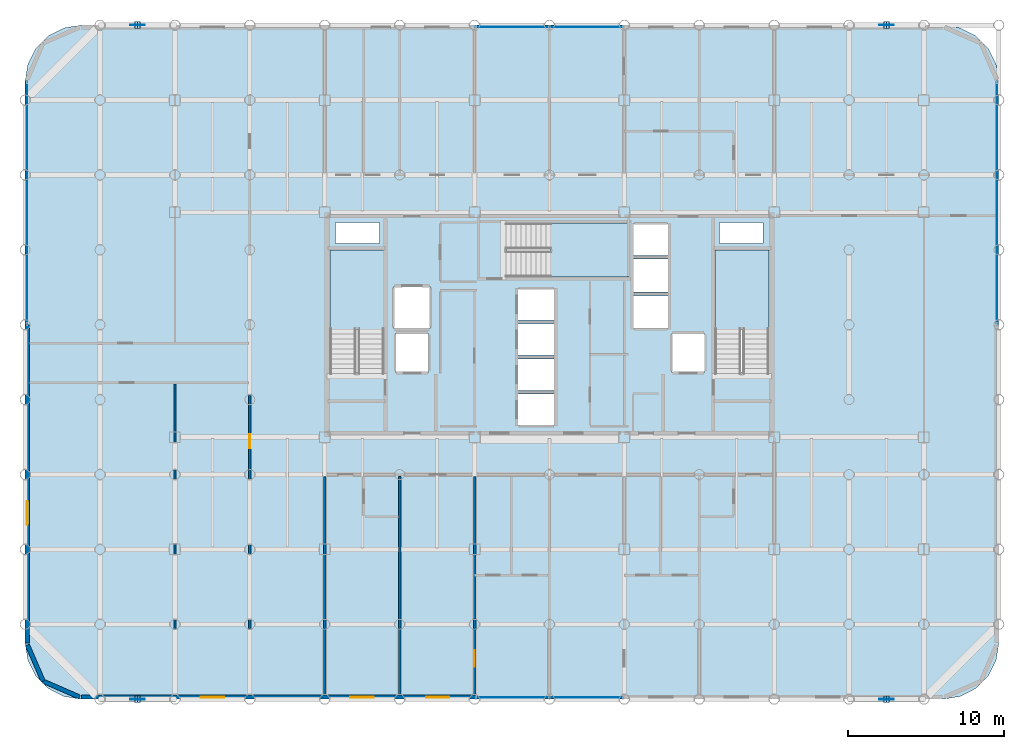
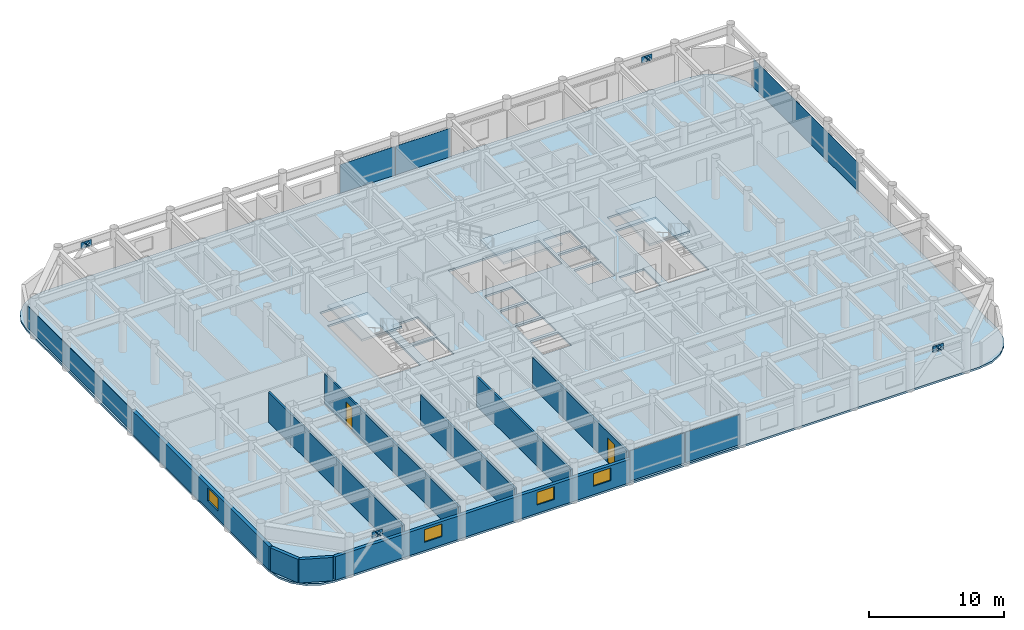
# One storey, part 15 of 20: 18 plates, 9 walls, 4 slabs, 4 windows, 2 doors, 6 openings, 7 elements without a shape of their own.
"""IFC4 building model written with IfcOpenShell, lengths in metres."""

from ifc_helpers import new_model, si_unit, direction, frame, frame_2d, origin, origin_2d, place, context, subcontext, project, spatial, polyline, rectangle, outline, extrude, material, layer, layer_set, type_object, element, fill, aggregate, save


model = new_model("IFC4")

# Units and contexts
model_context = context("Model", 3, precision=1e-05, world=origin(), true_north=direction((0.0, 1.0)))
body_context = subcontext(model_context, "Body", "Model", "MODEL_VIEW")
ifc_project = project(units=[si_unit("LENGTHUNIT", "METRE"), si_unit("AREAUNIT", "SQUARE_METRE"), si_unit("VOLUMEUNIT", "CUBIC_METRE"), si_unit("PLANEANGLEUNIT", "RADIAN"), si_unit("MASSUNIT", "GRAM", prefix="KILO")], contexts=[model_context])

# Site, building, storey
site_placement = place(None, origin())
site = spatial("IfcSite", under=ifc_project, at=site_placement, CompositionType="ELEMENT")
building_placement = place(site_placement, origin())
building = spatial("IfcBuilding", under=site, at=building_placement, Name="Kallvorn Hotel Tower", CompositionType="ELEMENT")
storey_placement = place(building_placement, frame((0.0, 0.0, 161.800048828125)))
storey = spatial("IfcBuildingStorey", under=building, at=storey_placement, Name="L40", CompositionType="ELEMENT", Elevation=161.800048828125)

# Curtain wall, plates
ifc_material_1 = material(Name="Thermally broken black-anodised aluminium AA 6063-T6", Category="aluminium")
ifc_layer_1 = layer(ifc_material_1, 0.2099609375)
ifc_layer_set_1 = layer_set([ifc_layer_1], Name="CW_SYS_4_HOTEL_MID")
curtain_wall_type = type_object("IfcCurtainWallType", Name="CW_SYS_4_HOTEL_MID", PredefinedType="USERDEFINED", material=ifc_layer_set_1)
curtain_wall_1_placement = place(storey_placement, origin())
curtain_wall_1 = element("IfcCurtainWall", 1, at=curtain_wall_1_placement, inside=storey, type_object=curtain_wall_type, Name="L40 Dark-Glass Curtain Wall CW-L40-SC", ObjectType="UNITISED CURTAIN WALL", PredefinedType="USERDEFINED")
ifc_material_2 = material(Name="Double-glazed low-e solar-control dark glass", Category="glass")
ifc_layer_2 = layer(ifc_material_2, 0.037841796875)
ifc_layer_set_2 = layer_set([ifc_layer_2], Name="CW_SYS_4_HOTEL_MID_PANEL")
plate_type_1 = type_object("IfcPlateType", Name="CW_SYS_4_HOTEL_MID_PANEL", PredefinedType="CURTAIN_PANEL", material=ifc_layer_set_2)
plate_1_placement = place(storey_placement, frame((-2.375, -23.8798828125, 0.06005859375), z_axis=(0.0, 0.0, 1.0), x_axis=(1.0, 0.0, 0.0)))
plate_1 = element("IfcPlate", 2, at=plate_1_placement, type_object=plate_type_1, Name="CW-L40-SC Vision Glass Panel 00", PredefinedType="CURTAIN_PANEL", context=body_context, shape_type="SweptSolid", body=[
    extrude(rectangle(XDim=4.68994140625, YDim=0.037841796875, at=origin_2d()), origin(), (0.0, 0.0, 1.0), 2.75),
])
plate_2_placement = place(storey_placement, frame((2.375, -23.8798828125, 0.06005859375), z_axis=(0.0, 0.0, 1.0), x_axis=(1.0, 0.0, 0.0)))
plate_2 = element("IfcPlate", 3, at=plate_2_placement, type_object=plate_type_1, Name="CW-L40-SC Vision Glass Panel 01", PredefinedType="CURTAIN_PANEL", context=body_context, shape_type="SweptSolid", body=[
    extrude(rectangle(XDim=4.68994140625, YDim=0.037841796875, at=origin_2d()), origin(), (0.0, 0.0, 1.0), 2.75),
])
aggregate(curtain_wall_1, [plate_1, plate_2])

curtain_wall_2_placement = place(storey_placement, origin())
curtain_wall_2 = element("IfcCurtainWall", 4, at=curtain_wall_2_placement, inside=storey, type_object=curtain_wall_type, Name="L40 Dark-Glass Curtain Wall CW-L40-NC", ObjectType="UNITISED CURTAIN WALL", PredefinedType="USERDEFINED")
plate_3_placement = place(storey_placement, frame((-2.375, 19.080078125, 0.059814453125), z_axis=(0.0, 0.0, 1.0), x_axis=(1.0, 0.0, 0.0)))
plate_3 = element("IfcPlate", 5, at=plate_3_placement, type_object=plate_type_1, Name="CW-L40-NC Vision Glass Panel 00", PredefinedType="CURTAIN_PANEL", context=body_context, shape_type="SweptSolid", body=[
    extrude(rectangle(XDim=4.68994140625, YDim=0.037841796875, at=origin_2d()), origin(), (0.0, 0.0, 1.0), 2.60009765625),
])
plate_4_placement = place(storey_placement, frame((2.375, 19.080078125, 0.059814453125), z_axis=(0.0, 0.0, 1.0), x_axis=(1.0, 0.0, 0.0)))
plate_4 = element("IfcPlate", 6, at=plate_4_placement, type_object=plate_type_1, Name="CW-L40-NC Vision Glass Panel 01", PredefinedType="CURTAIN_PANEL", context=body_context, shape_type="SweptSolid", body=[
    extrude(rectangle(XDim=4.68994140625, YDim=0.037841796875, at=origin_2d()), origin(), (0.0, 0.0, 1.0), 2.60009765625),
])
aggregate(curtain_wall_2, [plate_3, plate_4])

# Curtain wall, plate
curtain_wall_3_placement = place(storey_placement, origin())
curtain_wall_3 = element("IfcCurtainWall", 7, at=curtain_wall_3_placement, inside=storey, type_object=curtain_wall_type, Name="L40 Dark-Glass Curtain Wall CW-L40-WN", ObjectType="UNITISED CURTAIN WALL", PredefinedType="USERDEFINED")
plate_5_placement = place(storey_placement, frame((-33.47998046875, 7.81005859375, 0.06005859375), z_axis=(0.0, 0.0, 1.0), x_axis=(0.0, 1.0, 0.0)))
plate_5 = element("IfcPlate", 8, at=plate_5_placement, type_object=plate_type_1, Name="CW-L40-WN Vision Glass Panel 00", PredefinedType="CURTAIN_PANEL", context=body_context, shape_type="SweptSolid", body=[
    extrude(rectangle(XDim=15.52001953125, YDim=0.037841796875, at=origin_2d()), origin(), (0.0, 0.0, 1.0), 2.0),
])
aggregate(curtain_wall_3, [plate_5])

curtain_wall_4_placement = place(storey_placement, origin())
curtain_wall_4 = element("IfcCurtainWall", 9, at=curtain_wall_4_placement, inside=storey, type_object=curtain_wall_type, Name="L40 Dark-Glass Curtain Wall CW-L40-EN", ObjectType="UNITISED CURTAIN WALL", PredefinedType="USERDEFINED")
plate_6_placement = place(storey_placement, frame((28.679931640625, 7.81005859375, 0.059814453125), z_axis=(0.0, 0.0, 1.0), x_axis=(0.0, 1.0, 0.0)))
plate_6 = element("IfcPlate", 10, at=plate_6_placement, type_object=plate_type_1, Name="CW-L40-EN Vision Glass Panel 00", PredefinedType="CURTAIN_PANEL", context=body_context, shape_type="SweptSolid", body=[
    extrude(rectangle(XDim=15.52001953125, YDim=0.037841796875, at=origin_2d()), origin(), (0.0, 0.0, 1.0), 2.60009765625),
])
aggregate(curtain_wall_4, [plate_6])

# Plates
ifc_material_3 = material(Name="Structural steel S355JR", Category="steel")
ifc_layer_3 = layer(ifc_material_3, 0.030029296875)
ifc_layer_set_3 = layer_set([ifc_layer_3], Name="PLT_CAP_30")
plate_type_2 = type_object("IfcPlateType", Name="PLT_CAP_30", PredefinedType="SHEET", material=ifc_layer_set_3)
plate_7_placement = place(storey_placement, frame((-26.227294921875, -24.2177734375, 2.876708984375), z_axis=(0.646720691081, 0.0, 0.762726915565), x_axis=(0.0, 1.0, 0.0)))
element("IfcPlate", 11, at=plate_7_placement, inside=storey, type_object=plate_type_2, Name="EXO-L40-S1A End Cap Plate B", PredefinedType="SHEET", context=body_context, shape_type="SweptSolid", body=[
    extrude(outline(polyline([(0.0, 0.0), (0.435546875, 0.0), (0.435546875, 0.4356413597636253), (0.0, 0.4356413597636253), (0.0, 0.0)])), origin(), (0.0, 0.0, -1.0), 0.030029296875),
])
plate_8_placement = place(storey_placement, frame((-26.572509765625, -23.7822265625, 2.876708984375), z_axis=(-0.646997204148, 0.0, 0.762492372306), x_axis=(0.0, -1.0, 0.0)))
element("IfcPlate", 12, at=plate_8_placement, inside=storey, type_object=plate_type_2, Name="EXO-L40-S1B End Cap Plate B", PredefinedType="SHEET", context=body_context, shape_type="SweptSolid", body=[
    extrude(outline(polyline([(0.0, 0.0), (0.435546875, 0.0), (0.435546875, 0.43545517576240456), (0.0, 0.43545517576240456), (0.0, 0.0)])), origin(), (0.0, 0.0, -1.0), 0.030029296875),
])
plate_9_placement = place(storey_placement, frame((21.772705078125, -24.2177734375, 2.876708984375), z_axis=(0.646720691081, 0.0, 0.762726915565), x_axis=(0.0, 1.0, 0.0)))
element("IfcPlate", 13, at=plate_9_placement, inside=storey, type_object=plate_type_2, Name="EXO-L40-S2A End Cap Plate B", PredefinedType="SHEET", context=body_context, shape_type="SweptSolid", body=[
    extrude(outline(polyline([(0.0, 0.0), (0.435546875, 0.0), (0.435546875, 0.4356413597636253), (0.0, 0.4356413597636253), (0.0, 0.0)])), origin(), (0.0, 0.0, -1.0), 0.030029296875),
])
plate_10_placement = place(storey_placement, frame((21.427490234375, -23.7822265625, 2.876708984375), z_axis=(-0.646997204148, 0.0, 0.762492372306), x_axis=(0.0, -1.0, 0.0)))
element("IfcPlate", 14, at=plate_10_placement, inside=storey, type_object=plate_type_2, Name="EXO-L40-S2B End Cap Plate B", PredefinedType="SHEET", context=body_context, shape_type="SweptSolid", body=[
    extrude(outline(polyline([(0.0, 0.0), (0.435546875, 0.0), (0.435546875, 0.43545517576240456), (0.0, 0.43545517576240456), (0.0, 0.0)])), origin(), (0.0, 0.0, -1.0), 0.030029296875),
])
plate_11_placement = place(storey_placement, frame((-26.227294921875, 18.982177734375, 2.876708984375), z_axis=(0.646720691081, 0.0, 0.762726915565), x_axis=(0.0, 1.0, 0.0)))
element("IfcPlate", 15, at=plate_11_placement, inside=storey, type_object=plate_type_2, Name="EXO-L40-N1A End Cap Plate B", PredefinedType="SHEET", context=body_context, shape_type="SweptSolid", body=[
    extrude(outline(polyline([(0.0, 0.0), (0.435546875, 0.0), (0.435546875, 0.4356413597636253), (0.0, 0.4356413597636253), (0.0, 0.0)])), origin(), (0.0, 0.0, -1.0), 0.030029296875),
])
plate_12_placement = place(storey_placement, frame((-26.572509765625, 19.417724609375, 2.876708984375), z_axis=(-0.646997204148, 0.0, 0.762492372306), x_axis=(0.0, -1.0, 0.0)))
element("IfcPlate", 16, at=plate_12_placement, inside=storey, type_object=plate_type_2, Name="EXO-L40-N1B End Cap Plate B", PredefinedType="SHEET", context=body_context, shape_type="SweptSolid", body=[
    extrude(outline(polyline([(0.0, 0.0), (0.435546875, 0.0), (0.435546875, 0.43545517576240456), (0.0, 0.43545517576240456), (0.0, 0.0)])), origin(), (0.0, 0.0, -1.0), 0.030029296875),
])
plate_13_placement = place(storey_placement, frame((21.772705078125, 18.982177734375, 2.876708984375), z_axis=(0.646720691081, 0.0, 0.762726915565), x_axis=(0.0, 1.0, 0.0)))
element("IfcPlate", 17, at=plate_13_placement, inside=storey, type_object=plate_type_2, Name="EXO-L40-N2A End Cap Plate B", PredefinedType="SHEET", context=body_context, shape_type="SweptSolid", body=[
    extrude(outline(polyline([(0.0, 0.0), (0.435546875, 0.0), (0.435546875, 0.4356413597636253), (0.0, 0.4356413597636253), (0.0, 0.0)])), origin(), (0.0, 0.0, -1.0), 0.030029296875),
])
plate_14_placement = place(storey_placement, frame((21.427490234375, 19.417724609375, 2.876708984375), z_axis=(-0.646997204148, 0.0, 0.762492372306), x_axis=(0.0, -1.0, 0.0)))
element("IfcPlate", 18, at=plate_14_placement, inside=storey, type_object=plate_type_2, Name="EXO-L40-N2B End Cap Plate B", PredefinedType="SHEET", context=body_context, shape_type="SweptSolid", body=[
    extrude(outline(polyline([(0.0, 0.0), (0.435546875, 0.0), (0.435546875, 0.43545517576240456), (0.0, 0.43545517576240456), (0.0, 0.0)])), origin(), (0.0, 0.0, -1.0), 0.030029296875),
])
ifc_material_4 = material(Name="Structural steel S355JR", Category="steel")
ifc_layer_4 = layer(ifc_material_4, 0.034912109375)
ifc_layer_set_4 = layer_set([ifc_layer_4], Name="PLT_GUSSET_35")
plate_type_3 = type_object("IfcPlateType", Name="PLT_GUSSET_35", PredefinedType="USERDEFINED", material=ifc_layer_set_4)
for number, where, z_axis, x_axis, name in (
    (19, (-26.39990234375, -24.0, 2.68994140625), (0.0, 0.0, 1.0), (1.0, 0.0, 0.0), "L40 Exoskeleton Node Gusset S1"),
    (20, (21.60009765625, -24.0, 2.68994140625), (0.0, 0.0, 1.0), (1.0, 0.0, 0.0), "L40 Exoskeleton Node Gusset S2"),
    (21, (-26.39990234375, 19.199951171875, 2.68994140625), (0.0, 0.0, 1.0), (1.0, 0.0, 0.0), "L40 Exoskeleton Node Gusset N1"),
    (22, (21.60009765625, 19.199951171875, 2.68994140625), (0.0, 0.0, 1.0), (1.0, 0.0, 0.0), "L40 Exoskeleton Node Gusset N2"),
):
    element("IfcPlate", number, at=place(storey_placement, frame(where, z_axis=z_axis, x_axis=x_axis)), inside=storey, type_object=plate_type_3, Name=name, ObjectType="GUSSET PLATE", PredefinedType="USERDEFINED", context=body_context, shape_type="SweptSolid", body=[
        extrude(rectangle(XDim=0.89990234375, YDim=0.034912109375, at=origin_2d()), origin(), (0.0, 0.0, 1.0), 0.56005859375),
    ])

# Stair, slab
ifc_material_5 = material(Name="Precast concrete C40/50", Category="concrete")
stair_type = type_object("IfcStairType", Name="STR_CORE_DOGLEG", PredefinedType="HALF_TURN_STAIR", material=ifc_material_5)
stair_1_placement = place(storey_placement, origin())
stair_1 = element("IfcStair", 23, at=stair_1_placement, inside=storey, type_object=stair_type, Name="L40 Exit stair ST1", PredefinedType="HALF_TURN_STAIR")
ifc_material_6 = material(Name="Precast concrete C40/50", Category="concrete")
ifc_layer_5 = layer(ifc_material_6, 0.179931640625)
ifc_layer_set_5 = layer_set([ifc_layer_5], Name="SLB_LANDING_180")
slab_type_1 = type_object("IfcSlabType", Name="SLB_LANDING_180", PredefinedType="LANDING", material=ifc_layer_set_5)
slab_1_placement = place(storey_placement, frame((0.0, 0.0, 1.64990234375)))
slab_1 = element("IfcSlab", 24, at=slab_1_placement, type_object=slab_type_1, Name="ST1 landing 1", PredefinedType="LANDING", context=body_context, shape_type="SweptSolid", body=[
    extrude(outline(polyline([(-10.60009765625, -0.31005859375), (-10.60009765625, 4.800048828125), (-14.06005859375, 4.800048828125), (-14.06005859375, -0.31005859375), (-10.60009765625, -0.31005859375)])), origin(), (0.0, 0.0, 1.0), 0.199951171875),
])
aggregate(stair_1, [slab_1])

stair_2_placement = place(storey_placement, origin())
stair_2 = element("IfcStair", 25, at=stair_2_placement, inside=storey, type_object=stair_type, Name="L40 Exit stair ST2", PredefinedType="HALF_TURN_STAIR")
slab_2_placement = place(storey_placement, frame((0.0, 0.0, 1.64990234375)))
slab_2 = element("IfcSlab", 26, at=slab_2_placement, type_object=slab_type_1, Name="ST2 landing 1", PredefinedType="LANDING", context=body_context, shape_type="SweptSolid", body=[
    extrude(outline(polyline([(14.06005859375, -0.31005859375), (14.06005859375, 4.800048828125), (10.60009765625, 4.800048828125), (10.60009765625, -0.31005859375), (14.06005859375, -0.31005859375)])), origin(), (0.0, 0.0, 1.0), 0.199951171875),
])
aggregate(stair_2, [slab_2])

stair_3_placement = place(storey_placement, origin())
stair_3 = element("IfcStair", 27, at=stair_3_placement, inside=storey, type_object=stair_type, Name="L40 Exit stair ST3", PredefinedType="HALF_TURN_STAIR")
slab_3_placement = place(storey_placement, frame((0.0, 0.0, 1.64990234375)))
slab_3 = element("IfcSlab", 28, at=slab_3_placement, type_object=slab_type_1, Name="ST3 landing 1", PredefinedType="LANDING", context=body_context, shape_type="SweptSolid", body=[
    extrude(outline(polyline([(0.0400390625, 3.050048828125), (5.050048828125, 3.050048828125), (5.050048828125, 6.510009765625), (0.0400390625, 6.510009765625), (0.0400390625, 3.050048828125)])), origin(), (0.0, 0.0, 1.0), 0.199951171875),
])
aggregate(stair_3, [slab_3])

# Slab
ifc_material_7 = material(Name="Concrete C40/50", Category="concrete")
ifc_layer_6 = layer(ifc_material_7, 0.179931640625)
ifc_layer_set_6 = layer_set([ifc_layer_6], Name="SLB_TOWER_180")
slab_type_2 = type_object("IfcSlabType", Name="SLB_TOWER_180", PredefinedType="FLOOR", material=ifc_layer_set_6)
slab_4_placement = place(storey_placement, frame((0.0, 0.0, -0.179931640625)))
element("IfcSlab", 29, at=slab_4_placement, inside=storey, type_object=slab_type_2, Name="L40 Structural Floor Slab", PredefinedType="FLOOR", context=body_context, shape_type="SweptSolid", body=[
    extrude(outline(polyline([(25.199951171875, -24.0), (26.3125, -23.82373046875), (27.31591796875, -23.3125), (28.112548828125, -22.51611328125), (28.623779296875, -21.512451171875), (28.800048828125, -20.39990234375), (28.800048828125, 15.60009765625), (28.623779296875, 16.71240234375), (28.112548828125, 17.716064453125), (27.31591796875, 18.512451171875), (26.3125, 19.023681640625), (25.199951171875, 19.199951171875), (-30.0, 19.199951171875), (-31.112548828125, 19.023681640625), (-32.115966796875, 18.512451171875), (-32.91259765625, 17.716064453125), (-33.423828125, 16.71240234375), (-33.60009765625, 15.60009765625), (-33.60009765625, -20.39990234375), (-33.423828125, -21.512451171875), (-32.91259765625, -22.51611328125), (-32.115966796875, -23.3125), (-31.112548828125, -23.82373046875), (-30.0, -24.0), (25.199951171875, -24.0)]), holes=[polyline([(-10.60009765625, -3.070068359375), (-10.60009765625, 4.800048828125), (-14.06005859375, 4.800048828125), (-14.06005859375, -3.070068359375), (-10.60009765625, -3.070068359375)]), polyline([(14.06005859375, -3.070068359375), (14.06005859375, 4.800048828125), (10.60009765625, 4.800048828125), (10.60009765625, -3.070068359375), (14.06005859375, -3.070068359375)]), polyline([(-2.719970703125, 3.050048828125), (5.050048828125, 3.050048828125), (5.050048828125, 6.510009765625), (-2.719970703125, 6.510009765625), (-2.719970703125, 3.050048828125)]), polyline([(-2.050048828125, -6.449951171875), (0.35009765625, -6.449951171875), (0.35009765625, -4.449951171875), (-2.050048828125, -4.449951171875), (-2.050048828125, -6.449951171875)]), polyline([(-2.050048828125, -4.199951171875), (0.35009765625, -4.199951171875), (0.35009765625, -2.199951171875), (-2.050048828125, -2.199951171875), (-2.050048828125, -4.199951171875)]), polyline([(-2.050048828125, -1.949951171875), (0.35009765625, -1.949951171875), (0.35009765625, 0.050048828125), (-2.050048828125, 0.050048828125), (-2.050048828125, -1.949951171875)]), polyline([(-2.050048828125, 0.300048828125), (0.35009765625, 0.300048828125), (0.35009765625, 2.300048828125), (-2.050048828125, 2.300048828125), (-2.050048828125, 0.300048828125)]), polyline([(5.35009765625, -0.25), (7.64990234375, -0.25), (7.64990234375, 1.85009765625), (5.35009765625, 1.85009765625), (5.35009765625, -0.25)]), polyline([(5.35009765625, 2.10009765625), (7.64990234375, 2.10009765625), (7.64990234375, 4.199951171875), (5.35009765625, 4.199951171875), (5.35009765625, 2.10009765625)]), polyline([(5.35009765625, 4.449951171875), (7.64990234375, 4.449951171875), (7.64990234375, 6.449951171875), (5.35009765625, 6.449951171875), (5.35009765625, 4.449951171875)]), polyline([(-9.85009765625, -3.050048828125), (-7.75, -3.050048828125), (-7.75, -0.550048828125), (-9.85009765625, -0.550048828125), (-9.85009765625, -3.050048828125)]), polyline([(7.85009765625, -3.050048828125), (9.949951171875, -3.050048828125), (9.949951171875, -0.550048828125), (7.85009765625, -0.550048828125), (7.85009765625, -3.050048828125)]), polyline([(-9.949951171875, -0.25), (-7.64990234375, -0.25), (-7.64990234375, 2.449951171875), (-9.949951171875, 2.449951171875), (-9.949951171875, -0.25)]), polyline([(-13.699951171875, 5.199951171875), (-10.89990234375, 5.199951171875), (-10.89990234375, 6.550048828125), (-13.699951171875, 6.550048828125), (-13.699951171875, 5.199951171875)]), polyline([(10.89990234375, 5.199951171875), (13.699951171875, 5.199951171875), (13.699951171875, 6.550048828125), (10.89990234375, 6.550048828125), (10.89990234375, 5.199951171875)])]), origin(), (0.0, 0.0, 1.0), 0.179931640625),
])

# Walls
ifc_material_8 = material(Name="Fire-rated double-layer acoustic gypsum drywall EI 60")
ifc_layer_7 = layer(ifc_material_8, 0.159912109375)
ifc_layer_set_7 = layer_set([ifc_layer_7], Name="WL_DEMISE_160")
wall_type_1 = type_object("IfcWallType", Name="WL_DEMISE_160", PredefinedType="PARTITIONING", material=ifc_layer_set_7)
for number, where, z_axis, x_axis, name in (
    (30, (-14.39990234375, -23.7099609375, 0.0), (0.0, 0.0, 1.0), (0.0, 1.0, 0.0), "L40 Suite 4001 Superior Twin Room Partition"),
    (31, (-9.60009765625, -23.7099609375, 0.0), (0.0, 0.0, 1.0), (0.0, 1.0, 0.0), "L40 Suite 4001 Superior Twin Room Partition"),
):
    element("IfcWall", number, at=place(storey_placement, frame(where, z_axis=z_axis, x_axis=x_axis)), inside=storey, type_object=wall_type_1, Name=name, PredefinedType="PARTITIONING", context=body_context, shape_type="SweptSolid", body=[
        extrude(rectangle(XDim=13.989990234375, YDim=0.159912109375, at=frame_2d((6.9951171875, 0.0))), origin(), (0.0, 0.0, 1.0), 2.719970703125),
    ])

# Wall, opening, door
wall_1_placement = place(storey_placement, frame((-4.800048828125, -23.7099609375, 0.0), z_axis=(0.0, 0.0, 1.0), x_axis=(0.0, 1.0, 0.0)))
wall_1 = element("IfcWall", 32, at=wall_1_placement, inside=storey, type_object=wall_type_1, Name="L40 Suite 4002 Executive Bedroom Partition", PredefinedType="PARTITIONING", context=body_context, shape_type="SweptSolid", body=[
    extrude(rectangle(XDim=13.989990234375, YDim=0.159912109375, at=frame_2d((6.9951171875, 0.0))), origin(), (0.0, 0.0, 1.0), 2.719970703125),
])
opening_1_placement = place(wall_1_placement, frame((1.802978515625, 0.0, 0.0)))
opening_1 = element("IfcOpeningElement", 33, at=opening_1_placement, cuts=wall_1, Name="Opening GD2", PredefinedType="OPENING", context=body_context, shape_type="SweptSolid", body=[
    extrude(rectangle(XDim=1.050048828125, YDim=2.199951171875, at=frame_2d((0.52490234375, 1.10009765625))), frame((0.0, 0.094970703125, 0.0), z_axis=(0.0, -1.0, 0.0), x_axis=(1.0, 0.0, 0.0)), (0.0, 0.0, 1.0), 0.18994140625),
])
ifc_material_9 = material(Name="Solid-core walnut veneer fire-rated timber door leaf", Category="wood")
door_type_1 = type_object("IfcDoorType", Name="DR_SUITE_1050x2200", OperationType="NOTDEFINED", PredefinedType="DOOR", material=ifc_material_9)
door_1_placement = place(opening_1_placement, origin())
door_1 = element("IfcDoor", 34, at=door_1_placement, inside=storey, type_object=door_type_1, Name="L40 Suite 4002 Executive Bedroom Door", OperationType="SINGLE_SWING_RIGHT", OverallHeight=2.199951171875, OverallWidth=1.050048828125, PredefinedType="DOOR", context=body_context, shape_type="SweptSolid", body=[
    extrude(rectangle(XDim=1.050048828125, YDim=2.199951171875, at=frame_2d((0.52490234375, 1.10009765625))), frame((0.0, 0.02490234375, 0.0), z_axis=(0.0, -1.0, 0.0), x_axis=(1.0, 0.0, 0.0)), (0.0, 0.0, 1.0), 0.050048828125),
])
fill(opening_1, door_1)

# Walls
ifc_material_10 = material(Name="Precast basalt-clad insulated concrete wall C40/50", Category="masonry")
ifc_layer_8 = layer(ifc_material_10, 0.280029296875)
ifc_layer_set_8 = layer_set([ifc_layer_8], Name="WL_EXT_LOGGIA_280")
wall_type_2 = type_object("IfcWallType", Name="WL_EXT_LOGGIA_280", PredefinedType="SOLIDWALL", material=ifc_layer_set_8)
wall_2_placement = place(storey_placement, frame((-33.4580078125, -20.520751953125, 0.0), z_axis=(0.0, 0.0, 1.0), x_axis=(0.398792985289, -0.917040977756, 0.0)))
element("IfcWall", 35, at=wall_2_placement, inside=storey, type_object=wall_type_2, Name="L40 Rounded Corner Exterior Wall SW1", PredefinedType="SOLIDWALL", context=body_context, shape_type="SweptSolid", body=[
    extrude(rectangle(XDim=2.536376953125, YDim=0.280029296875, at=frame_2d((1.26806640625, 0.0))), origin(), (0.0, 0.0, 1.0), 2.119873046875),
])
wall_3_placement = place(storey_placement, frame((-32.446533203125, -22.8466796875, 0.0), z_axis=(0.0, 0.0, 1.0), x_axis=(0.917060872934, -0.398747232384, 0.0)))
element("IfcWall", 36, at=wall_3_placement, inside=storey, type_object=wall_type_2, Name="L40 Rounded Corner Exterior Wall SW2", PredefinedType="SOLIDWALL", context=body_context, shape_type="SweptSolid", body=[
    extrude(rectangle(XDim=2.5361328125, YDim=0.280029296875, at=frame_2d((1.26806640625, 0.0))), origin(), (0.0, 0.0, 1.0), 2.119873046875),
])

# Wall, openings, windows
wall_4_placement = place(storey_placement, frame((-30.0, -23.860107421875, 0.0), z_axis=(0.0, 0.0, 1.0), x_axis=(1.0, 0.0, 0.0)))
wall_4 = element("IfcWall", 37, at=wall_4_placement, inside=storey, type_object=wall_type_2, Name="L40 Exterior Envelope Wall EW-L40-SW", PredefinedType="SOLIDWALL", context=body_context, shape_type="SweptSolid", body=[
    extrude(rectangle(XDim=25.25, YDim=0.280029296875, at=frame_2d((12.625, 0.0))), origin(), (0.0, 0.0, 1.0), 2.119873046875),
])
opening_2_placement = place(wall_4_placement, frame((7.64990234375, 0.0, 0.75)))
opening_2 = element("IfcOpeningElement", 38, at=opening_2_placement, cuts=wall_4, Name="Opening W05A", PredefinedType="OPENING", context=body_context, shape_type="SweptSolid", body=[
    extrude(rectangle(XDim=1.5, YDim=1.14990234375, at=frame_2d((0.75, 0.574951171875))), frame((0.0, 0.155029296875, 0.0), z_axis=(0.0, -1.0, 0.0), x_axis=(1.0, 0.0, 0.0)), (0.0, 0.0, 1.0), 0.31005859375),
])
opening_3_placement = place(wall_4_placement, frame((17.25, 0.0, 0.75)))
opening_3 = element("IfcOpeningElement", 39, at=opening_3_placement, cuts=wall_4, Name="Opening W05A", PredefinedType="OPENING", context=body_context, shape_type="SweptSolid", body=[
    extrude(rectangle(XDim=1.5, YDim=1.14990234375, at=frame_2d((0.75, 0.574951171875))), frame((0.0, 0.155029296875, 0.0), z_axis=(0.0, -1.0, 0.0), x_axis=(1.0, 0.0, 0.0)), (0.0, 0.0, 1.0), 0.31005859375),
])
opening_4_placement = place(wall_4_placement, frame((22.090087890625, 0.0, 0.75)))
opening_4 = element("IfcOpeningElement", 40, at=opening_4_placement, cuts=wall_4, Name="Opening W05A", PredefinedType="OPENING", context=body_context, shape_type="SweptSolid", body=[
    extrude(rectangle(XDim=1.5, YDim=1.14990234375, at=frame_2d((0.75, 0.574951171875))), frame((0.0, 0.155029296875, 0.0), z_axis=(0.0, -1.0, 0.0), x_axis=(1.0, 0.0, 0.0)), (0.0, 0.0, 1.0), 0.31005859375),
])
ifc_material_11 = material(Name="Double-glazed low-e solar-control dark glass", Category="glass")
window_type = type_object("IfcWindowType", Name="WN_HTL_1500x1150", PartitioningType="SINGLE_PANEL", PredefinedType="WINDOW", material=ifc_material_11)
window_1_placement = place(opening_2_placement, origin())
window_1 = element("IfcWindow", 41, at=window_1_placement, inside=storey, type_object=window_type, Name="L40 Guestroom Exterior Window 02", OverallHeight=1.14990234375, OverallWidth=1.5, PartitioningType="SINGLE_PANEL", PredefinedType="WINDOW", context=body_context, shape_type="SweptSolid", body=[
    extrude(rectangle(XDim=1.5, YDim=1.14990234375, at=frame_2d((0.75, 0.574951171875))), frame((0.0, 0.030029296875, 0.0), z_axis=(0.0, -1.0, 0.0), x_axis=(1.0, 0.0, 0.0)), (0.0, 0.0, 1.0), 0.06005859375),
])
fill(opening_2, window_1)
window_2_placement = place(opening_3_placement, origin())
window_2 = element("IfcWindow", 42, at=window_2_placement, inside=storey, type_object=window_type, Name="L40 Guestroom Exterior Window 06", OverallHeight=1.14990234375, OverallWidth=1.5, PartitioningType="SINGLE_PANEL", PredefinedType="WINDOW", context=body_context, shape_type="SweptSolid", body=[
    extrude(rectangle(XDim=1.5, YDim=1.14990234375, at=frame_2d((0.75, 0.574951171875))), frame((0.0, 0.030029296875, 0.0), z_axis=(0.0, -1.0, 0.0), x_axis=(1.0, 0.0, 0.0)), (0.0, 0.0, 1.0), 0.06005859375),
])
fill(opening_3, window_2)
window_3_placement = place(opening_4_placement, origin())
window_3 = element("IfcWindow", 43, at=window_3_placement, inside=storey, type_object=window_type, Name="L40 Guestroom Exterior Window 07", OverallHeight=1.14990234375, OverallWidth=1.5, PartitioningType="SINGLE_PANEL", PredefinedType="WINDOW", context=body_context, shape_type="SweptSolid", body=[
    extrude(rectangle(XDim=1.5, YDim=1.14990234375, at=frame_2d((0.75, 0.574951171875))), frame((0.0, 0.030029296875, 0.0), z_axis=(0.0, -1.0, 0.0), x_axis=(1.0, 0.0, 0.0)), (0.0, 0.0, 1.0), 0.06005859375),
])
fill(opening_4, window_3)

# Wall, opening, window
wall_5_placement = place(storey_placement, frame((-33.4599609375, -20.39990234375, 0.0), z_axis=(0.0, 0.0, 1.0), x_axis=(0.0, 1.0, 0.0)))
wall_5 = element("IfcWall", 44, at=wall_5_placement, inside=storey, type_object=wall_type_2, Name="L40 Exterior Envelope Wall EW-L40-WS", PredefinedType="SOLIDWALL", context=body_context, shape_type="SweptSolid", body=[
    extrude(rectangle(XDim=20.3798828125, YDim=0.280029296875, at=frame_2d((10.18994140625, 0.0))), origin(), (0.0, 0.0, 1.0), 2.119873046875),
])
opening_5_placement = place(wall_5_placement, frame((7.590087890625, 0.0, 0.75)))
opening_5 = element("IfcOpeningElement", 45, at=opening_5_placement, cuts=wall_5, Name="Opening W05A", PredefinedType="OPENING", context=body_context, shape_type="SweptSolid", body=[
    extrude(rectangle(XDim=1.5, YDim=1.14990234375, at=frame_2d((0.75, 0.574951171875))), frame((0.0, 0.155029296875, 0.0), z_axis=(0.0, -1.0, 0.0), x_axis=(1.0, 0.0, 0.0)), (0.0, 0.0, 1.0), 0.31005859375),
])
window_4_placement = place(opening_5_placement, origin())
window_4 = element("IfcWindow", 46, at=window_4_placement, inside=storey, type_object=window_type, Name="L40 Flank Wing Window 01", OverallHeight=1.14990234375, OverallWidth=1.5, PartitioningType="SINGLE_PANEL", PredefinedType="WINDOW", context=body_context, shape_type="SweptSolid", body=[
    extrude(rectangle(XDim=1.5, YDim=1.14990234375, at=frame_2d((0.75, 0.574951171875))), frame((0.0, 0.030029296875, 0.0), z_axis=(0.0, -1.0, 0.0), x_axis=(1.0, 0.0, 0.0)), (0.0, 0.0, 1.0), 0.06005859375),
])
fill(opening_5, window_4)

# Wall
ifc_material_12 = material(Name="Fire-rated double-layer acoustic gypsum drywall EI 60")
ifc_layer_9 = layer(ifc_material_12, 0.14990234375)
ifc_layer_set_9 = layer_set([ifc_layer_9], Name="WL_PART_150")
wall_type_3 = type_object("IfcWallType", Name="WL_PART_150", PredefinedType="PARTITIONING", material=ifc_layer_set_9)
wall_6_placement = place(storey_placement, frame((-24.0, -23.7099609375, 0.0), z_axis=(0.0, 0.0, 1.0), x_axis=(0.0, 1.0, 0.0)))
element("IfcWall", 47, at=wall_6_placement, inside=storey, type_object=wall_type_3, Name="L40 L40 Inner South-West Wine Gallery Partition", PredefinedType="PARTITIONING", context=body_context, shape_type="SweptSolid", body=[
    extrude(rectangle(XDim=19.905029296875, YDim=0.14990234375, at=frame_2d((9.95263671875, 0.0))), origin(), (0.0, 0.0, 1.0), 2.719970703125),
])

# Wall, opening, door
wall_7_placement = place(storey_placement, frame((-19.199951171875, -23.7099609375, 0.0), z_axis=(0.0, 0.0, 1.0), x_axis=(0.0, 1.0, 0.0)))
wall_7 = element("IfcWall", 48, at=wall_7_placement, inside=storey, type_object=wall_type_3, Name="L40 L40 Inner South-West Wine Gallery Partition", PredefinedType="PARTITIONING", context=body_context, shape_type="SweptSolid", body=[
    extrude(rectangle(XDim=19.905029296875, YDim=0.14990234375, at=frame_2d((9.95263671875, 0.0))), origin(), (0.0, 0.0, 1.0), 2.719970703125),
])
opening_6_placement = place(wall_7_placement, frame((15.790771484375, 0.0, 0.0)))
opening_6 = element("IfcOpeningElement", 49, at=opening_6_placement, cuts=wall_7, Name="Opening SVD1", PredefinedType="OPENING", context=body_context, shape_type="SweptSolid", body=[
    extrude(rectangle(XDim=0.89990234375, YDim=2.10009765625, at=frame_2d((0.449951171875, 1.050048828125))), frame((0.0, 0.08984375, 0.0), z_axis=(0.0, -1.0, 0.0), x_axis=(1.0, 0.0, 0.0)), (0.0, 0.0, 1.0), 0.179931640625),
])
ifc_material_13 = material(Name="Galvanised painted steel fire-rated door assembly", Category="steel")
door_type_2 = type_object("IfcDoorType", Name="DR_SERV_900x2100", OperationType="NOTDEFINED", PredefinedType="DOOR", material=ifc_material_13)
door_2_placement = place(opening_6_placement, origin())
door_2 = element("IfcDoor", 50, at=door_2_placement, inside=storey, type_object=door_type_2, Name="L40 L40 Inner South-West Wine Gallery Door", OperationType="SINGLE_SWING_LEFT", OverallHeight=2.10009765625, OverallWidth=0.89990234375, PredefinedType="DOOR", context=body_context, shape_type="SweptSolid", body=[
    extrude(rectangle(XDim=0.89990234375, YDim=2.10009765625, at=frame_2d((0.449951171875, 1.050048828125))), frame((0.0, 0.02490234375, 0.0), z_axis=(0.0, -1.0, 0.0), x_axis=(1.0, 0.0, 0.0)), (0.0, 0.0, 1.0), 0.050048828125),
])
fill(opening_6, door_2)

save(model, "model.ifc")
